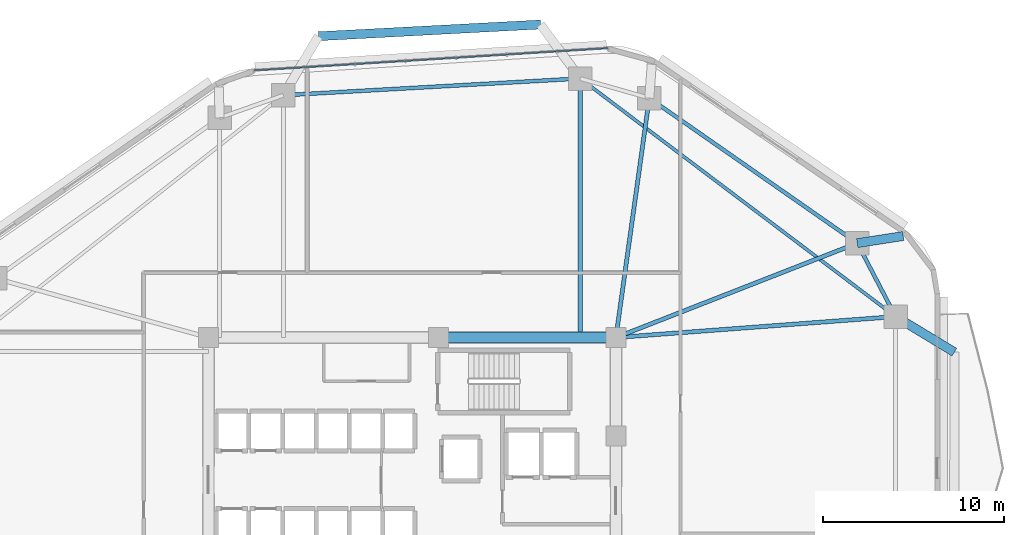
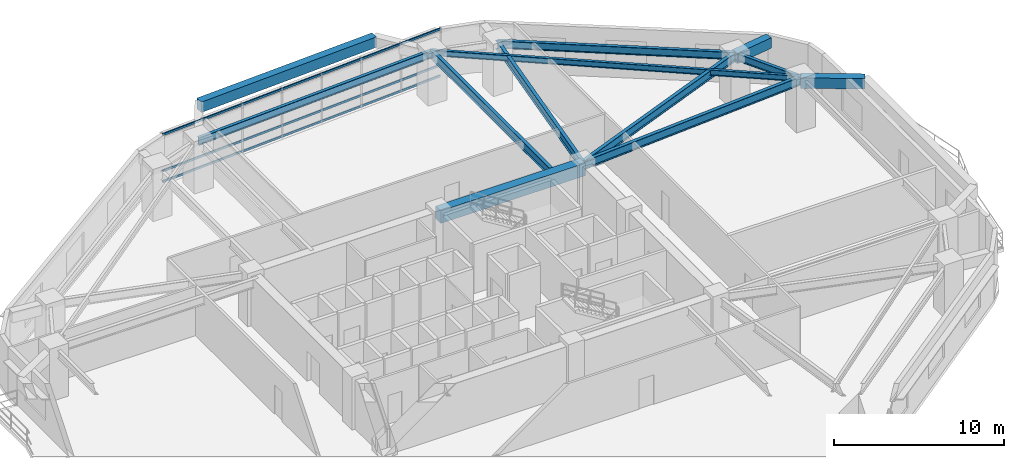
# One storey, part 3 of 11: 12 beams, 3 members, 1 element without a shape of its own.
"""IFC4 building model written with IfcOpenShell, lengths in metres."""

from ifc_helpers import new_model, si_unit, direction, frame, origin, origin_2d, place, context, subcontext, project, spatial, rectangle, hollow_rectangle, i_section, extrude, material, material_profile, profile_set, type_object, element, aggregate, save


model = new_model("IFC4")

# Units and contexts
model_context = context("Model", 3, precision=1e-05, world=origin(), true_north=direction((0.0, 1.0)))
body_context = subcontext(model_context, "Body", "Model", "MODEL_VIEW")
ifc_project = project(units=[si_unit("LENGTHUNIT", "METRE"), si_unit("AREAUNIT", "SQUARE_METRE"), si_unit("VOLUMEUNIT", "CUBIC_METRE"), si_unit("PLANEANGLEUNIT", "RADIAN"), si_unit("MASSUNIT", "GRAM", prefix="KILO")], contexts=[model_context])

# Site, building, storey
site_placement = place(None, origin())
site = spatial("IfcSite", under=ifc_project, at=site_placement, CompositionType="ELEMENT")
building_placement = place(site_placement, origin())
building = spatial("IfcBuilding", under=site, at=building_placement, Name="Zulverin Broadcast Headquarters", CompositionType="ELEMENT")
storey_placement = place(building_placement, frame((0.0, 0.0, 32.60009765625)))
storey = spatial("IfcBuildingStorey", under=building, at=storey_placement, Name="L07", CompositionType="ELEMENT", Elevation=32.60009765625)

# Beams
ifc_material_1 = material(Name="Concrete C60/75", Category="concrete")
ifc_material_profile_1 = material_profile(ifc_material_1, rectangle(XDim=0.60009765625, YDim=0.89990234375, at=origin_2d()), Name="Concrete C60/75", Category="concrete")
ifc_profile_set_1 = profile_set([ifc_material_profile_1], Name="Concrete C60/75")
beam_type_1 = type_object("IfcBeamType", Name="BM-CB-600x900", PredefinedType="LINTEL", material=ifc_profile_set_1)
beam_1_placement = place(storey_placement, frame((48.27490234375, 33.074951171875, 3.074951171875), z_axis=(-1.0, 0.0, 0.0), x_axis=(0.0, -1.0, 0.0)))
element("IfcBeam", 1, at=beam_1_placement, inside=storey, type_object=beam_type_1, Name="L07 Core Coupling Girder K05-K06", PredefinedType="LINTEL", context=body_context, shape_type="SweptSolid", body=[
    extrude(rectangle(XDim=0.60009765625, YDim=0.89990234375, at=origin_2d()), origin(), (0.0, 0.0, 1.0), 9.824951171875),
])
ifc_material_2 = material(Name="Concrete C40/50", Category="concrete")
ifc_material_profile_2 = material_profile(ifc_material_2, rectangle(XDim=0.5, YDim=0.75, at=origin_2d()), Name="Concrete C40/50", Category="concrete")
ifc_profile_set_2 = profile_set([ifc_material_profile_2], Name="Concrete C40/50")
beam_type_2 = type_object("IfcBeamType", Name="BM-RC-500x750", PredefinedType="BEAM", material=ifc_profile_set_2)
beam_2_placement = place(storey_placement, frame((61.630126953125, 38.298583984375, 3.14990234375), z_axis=(0.988133444256, 0.153597839639, 0.0), x_axis=(-0.153597839639, 0.988133444256, 0.0)))
element("IfcBeam", 2, at=beam_2_placement, inside=storey, type_object=beam_type_2, Name="L08 Plate Overhang Back-Spanned Beam OVR-07", PredefinedType="BEAM", context=body_context, shape_type="SweptSolid", body=[
    extrude(rectangle(XDim=0.5, YDim=0.75, at=origin_2d()), origin(), (0.0, 0.0, 1.0), 2.57177734375),
])
beam_3_placement = place(storey_placement, frame((63.75, 34.235107421875, 3.14990234375), z_axis=(0.855593685746, -0.517647993246, 0.0), x_axis=(0.517647993246, 0.855593685746, 0.0)))
element("IfcBeam", 3, at=beam_3_placement, inside=storey, type_object=beam_type_2, Name="L08 Balcony Column-Framed Cantilever BAL_E-2", PredefinedType="BEAM", context=body_context, shape_type="SweptSolid", body=[
    extrude(rectangle(XDim=0.5, YDim=0.75, at=origin_2d()), origin(), (0.0, 0.0, 1.0), 3.800048828125),
])
beam_4_placement = place(storey_placement, frame((44.101806640625, 50.397216796875, 3.14990234375), z_axis=(-0.998609099768, -0.052724433234, 0.0), x_axis=(0.052724433234, -0.998609099768, 0.0)))
element("IfcBeam", 4, at=beam_4_placement, inside=storey, type_object=beam_type_2, Name="L08 Balcony Outer Edge Trimmer Beam BAL_N", PredefinedType="BEAM", context=body_context, shape_type="SweptSolid", body=[
    extrude(rectangle(XDim=0.5, YDim=0.75, at=origin_2d()), origin(), (0.0, 0.0, 1.0), 12.30322265625),
])
ifc_material_3 = material(Name="Structural steel S355JR", Category="steel")
ifc_material_profile_3 = material_profile(ifc_material_3, i_section(OverallWidth=0.179443359375, OverallDepth=0.412841796875, WebThickness=0.009521484375, FlangeThickness=0.01611328125, at=origin_2d()), Name="Structural steel S355JR", Category="steel")
ifc_profile_set_3 = profile_set([ifc_material_profile_3], Name="Structural steel S355JR")
beam_type_3 = type_object("IfcBeamType", Name="BM-UB-406", PredefinedType="JOIST", material=ifc_profile_set_3)
beam_5_placement = place(storey_placement, frame((63.75, 34.235107421875, 3.318603515625), z_axis=(-0.798058136838, 0.602580459546, 0.0), x_axis=(-0.602580459546, -0.798058136838, 0.0)))
element("IfcBeam", 5, at=beam_5_placement, inside=storey, type_object=beam_type_3, Name="L07 Chordal Floor Joist J-02", PredefinedType="JOIST", context=body_context, shape_type="SweptSolid", body=[
    extrude(i_section(OverallWidth=0.179443359375, OverallDepth=0.412841796875, WebThickness=0.009521484375, FlangeThickness=0.01611328125, at=origin_2d()), origin(), (0.0, 0.0, 1.0), 21.86279296875),
])
ifc_material_profile_4 = material_profile(ifc_material_3, i_section(OverallWidth=0.2119140625, OverallDepth=0.54443359375, WebThickness=0.0126953125, FlangeThickness=0.021240234375, at=origin_2d()), Name="Structural steel S355JR", Category="steel")
ifc_profile_set_4 = profile_set([ifc_material_profile_4], Name="Structural steel S355JR")
beam_type_4 = type_object("IfcBeamType", Name="BM-UB-533", PredefinedType="SPANDREL", material=ifc_profile_set_4)
beam_6_placement = place(storey_placement, frame((63.75, 34.235107421875, 3.252685546875), z_axis=(-0.462531417359, 0.886602891917, 0.0), x_axis=(-0.886602891917, -0.462531417359, 0.0)))
element("IfcBeam", 6, at=beam_6_placement, inside=storey, type_object=beam_type_4, Name="L07 Perimeter Spandrel Beam SP-06", PredefinedType="SPANDREL", context=body_context, shape_type="SweptSolid", body=[
    extrude(i_section(OverallWidth=0.2119140625, OverallDepth=0.54443359375, WebThickness=0.0126953125, FlangeThickness=0.021240234375, at=origin_2d()), origin(), (0.0, 0.0, 1.0), 4.583251953125),
])
beam_7_placement = place(storey_placement, frame((61.630126953125, 38.298583984375, 3.252685546875), z_axis=(-0.820183915206, 0.5720999434, 0.0), x_axis=(-0.5720999434, -0.820183915206, 0.0)))
element("IfcBeam", 7, at=beam_7_placement, inside=storey, type_object=beam_type_4, Name="L07 Perimeter Spandrel Beam SP-07", PredefinedType="SPANDREL", context=body_context, shape_type="SweptSolid", body=[
    extrude(i_section(OverallWidth=0.2119140625, OverallDepth=0.54443359375, WebThickness=0.0126953125, FlangeThickness=0.021240234375, at=origin_2d()), origin(), (0.0, 0.0, 1.0), 14.03125),
])
beam_8_placement = place(storey_placement, frame((46.30224609375, 47.4091796875, 3.252685546875), z_axis=(-0.998411812904, -0.056336949274, 0.0), x_axis=(0.056336949274, -0.998411812904, 0.0)))
element("IfcBeam", 8, at=beam_8_placement, inside=storey, type_object=beam_type_4, Name="L07 Perimeter Spandrel Beam SP-09", PredefinedType="SPANDREL", context=body_context, shape_type="SweptSolid", body=[
    extrude(i_section(OverallWidth=0.2119140625, OverallDepth=0.54443359375, WebThickness=0.0126953125, FlangeThickness=0.021240234375, at=origin_2d()), origin(), (0.0, 0.0, 1.0), 16.45458984375),
])
ifc_material_profile_5 = material_profile(ifc_material_3, i_section(OverallWidth=0.230224609375, OverallDepth=0.6171875, WebThickness=0.01318359375, FlangeThickness=0.022216796875, at=origin_2d()), Name="Structural steel S355JR", Category="steel")
ifc_profile_set_5 = profile_set([ifc_material_profile_5], Name="Structural steel S355JR")
beam_type_5 = type_object("IfcBeamType", Name="BM-UB-610", PredefinedType="BEAM", material=ifc_profile_set_5)
beam_9_placement = place(storey_placement, frame((48.27490234375, 33.074951171875, 3.21630859375), z_axis=(0.997201597387, 0.074759442003, 0.0), x_axis=(-0.074759442003, 0.997201597387, 0.0)))
element("IfcBeam", 9, at=beam_9_placement, inside=storey, type_object=beam_type_5, Name="L07 Radial Primary Floor Beam RB-06", PredefinedType="BEAM", context=body_context, shape_type="SweptSolid", body=[
    extrude(i_section(OverallWidth=0.230224609375, OverallDepth=0.6171875, WebThickness=0.01318359375, FlangeThickness=0.022216796875, at=origin_2d()), origin(), (0.0, 0.0, 1.0), 15.5185546875),
])
beam_10_placement = place(storey_placement, frame((48.27490234375, 33.074951171875, 3.21630859375), z_axis=(0.931297778153, 0.364258765723, 0.0), x_axis=(-0.364258765723, 0.931297778153, 0.0)))
element("IfcBeam", 10, at=beam_10_placement, inside=storey, type_object=beam_type_5, Name="L07 Radial Primary Floor Beam RB-07", PredefinedType="BEAM", context=body_context, shape_type="SweptSolid", body=[
    extrude(i_section(OverallWidth=0.230224609375, OverallDepth=0.6171875, WebThickness=0.01318359375, FlangeThickness=0.022216796875, at=origin_2d()), origin(), (0.0, 0.0, 1.0), 14.34033203125),
])
beam_11_placement = place(storey_placement, frame((48.27490234375, 33.074951171875, 3.21630859375), z_axis=(0.138045758193, 0.990425852169, 0.0), x_axis=(-0.990425852169, 0.138045758193, 0.0)))
element("IfcBeam", 11, at=beam_11_placement, inside=storey, type_object=beam_type_5, Name="L07 Radial Primary Floor Beam RB-08", PredefinedType="BEAM", context=body_context, shape_type="SweptSolid", body=[
    extrude(i_section(OverallWidth=0.230224609375, OverallDepth=0.6171875, WebThickness=0.01318359375, FlangeThickness=0.022216796875, at=origin_2d()), origin(), (0.0, 0.0, 1.0), 13.379150390625),
])
beam_12_placement = place(storey_placement, frame((46.30224609375, 33.074951171875, 3.21630859375), z_axis=(0.0, 1.0, 0.0), x_axis=(-1.0, 0.0, 0.0)))
element("IfcBeam", 12, at=beam_12_placement, inside=storey, type_object=beam_type_5, Name="L07 Radial Primary Floor Beam RB-09", PredefinedType="BEAM", context=body_context, shape_type="SweptSolid", body=[
    extrude(i_section(OverallWidth=0.230224609375, OverallDepth=0.6171875, WebThickness=0.01318359375, FlangeThickness=0.022216796875, at=origin_2d()), origin(), (0.0, 0.0, 1.0), 14.334228515625),
])

# Curtain wall, members
ifc_material_4 = material(Name="Low-zone ribbon unitised curtain wall", Category="aluminium")
curtain_wall_type = type_object("IfcCurtainWallType", Name="CW-TWR-LOW", PredefinedType="USERDEFINED", material=ifc_material_4)
curtain_wall_placement = place(storey_placement, origin())
curtain_wall = element("IfcCurtainWall", 13, at=curtain_wall_placement, inside=storey, type_object=curtain_wall_type, Name="L07 Unitised Curtain Wall CW-L07-E5", ObjectType="UNITISED CURTAIN WALL", PredefinedType="USERDEFINED")
ifc_material_5 = material(Name="Anodized pale-metal aluminium alloy 6063-T6", Category="aluminium")
ifc_material_profile_6 = material_profile(ifc_material_5, hollow_rectangle(XDim=0.074951171875, YDim=0.14990234375, WallThickness=0.0048828125, at=origin_2d()), Name="Anodized pale-metal aluminium alloy 6063-T6", Category="aluminium")
ifc_profile_set_6 = profile_set([ifc_material_profile_6], Name="Anodized pale-metal aluminium alloy 6063-T6")
member_type = type_object("IfcMemberType", Name="CW-TRN-150", PredefinedType="USERDEFINED", material=ifc_profile_set_6)
member_1_placement = place(storey_placement, frame((47.83056640625, 49.08935546875, 0.074951171875), z_axis=(-0.998017725054, -0.062933460723, 0.0), x_axis=(0.062933460723, -0.998017725054, 0.0)))
member_1 = element("IfcMember", 14, at=member_1_placement, type_object=member_type, Name="CW-L07-E5 Transom 0", ObjectType="TRANSOM", PredefinedType="USERDEFINED", context=body_context, shape_type="SweptSolid", body=[
    extrude(hollow_rectangle(XDim=0.074951171875, YDim=0.14990234375, WallThickness=0.0048828125, at=origin_2d()), origin(), (0.0, 0.0, 1.0), 19.62939453125),
])
member_2_placement = place(storey_placement, frame((47.83056640625, 49.08935546875, 0.845947265625), z_axis=(-0.998017725054, -0.062933460723, 0.0), x_axis=(0.062933460723, -0.998017725054, 0.0)))
member_2 = element("IfcMember", 15, at=member_2_placement, type_object=member_type, Name="CW-L07-E5 Transom 1", ObjectType="TRANSOM", PredefinedType="USERDEFINED", context=body_context, shape_type="SweptSolid", body=[
    extrude(hollow_rectangle(XDim=0.074951171875, YDim=0.14990234375, WallThickness=0.0048828125, at=origin_2d()), origin(), (0.0, 0.0, 1.0), 19.62939453125),
])
member_3_placement = place(storey_placement, frame((47.83056640625, 49.08935546875, 3.449951171875), z_axis=(-0.998017725054, -0.062933460723, 0.0), x_axis=(0.062933460723, -0.998017725054, 0.0)))
member_3 = element("IfcMember", 16, at=member_3_placement, type_object=member_type, Name="CW-L07-E5 Transom 2", ObjectType="TRANSOM", PredefinedType="USERDEFINED", context=body_context, shape_type="SweptSolid", body=[
    extrude(hollow_rectangle(XDim=0.074951171875, YDim=0.14990234375, WallThickness=0.0048828125, at=origin_2d()), origin(), (0.0, 0.0, 1.0), 19.62939453125),
])
aggregate(curtain_wall, [member_1, member_2, member_3])

save(model, "model.ifc")
